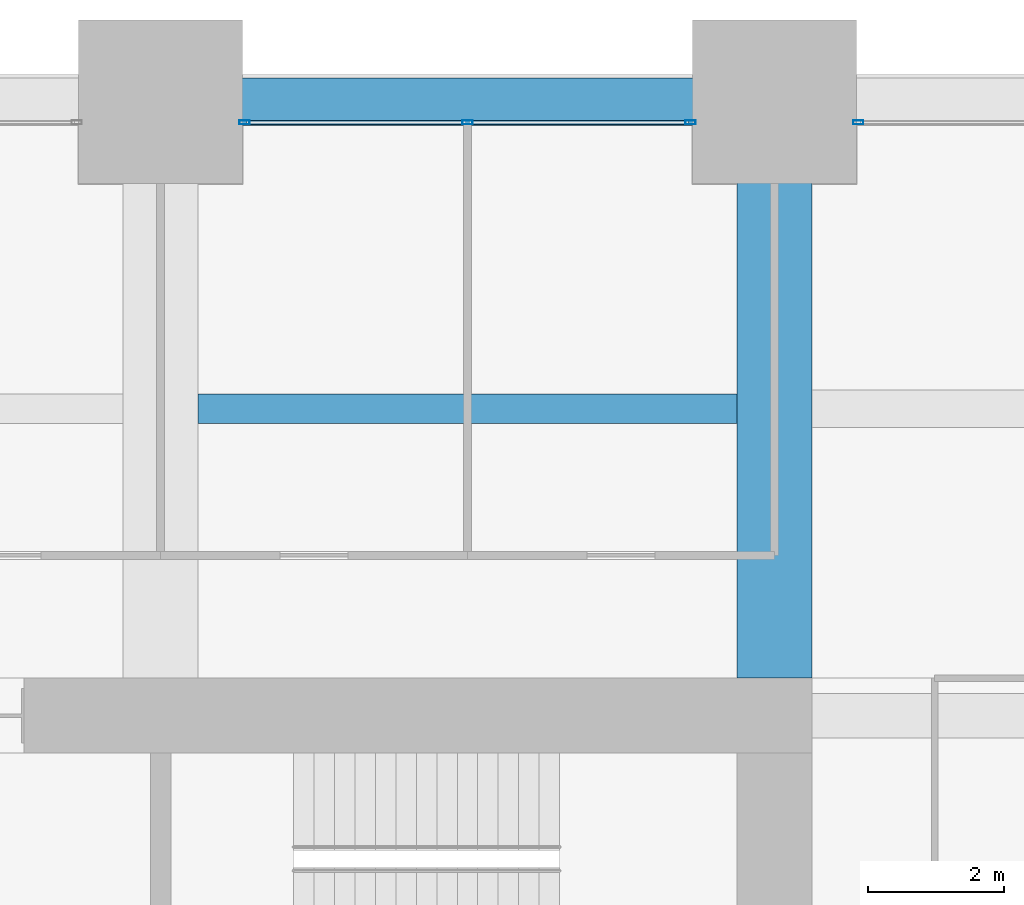
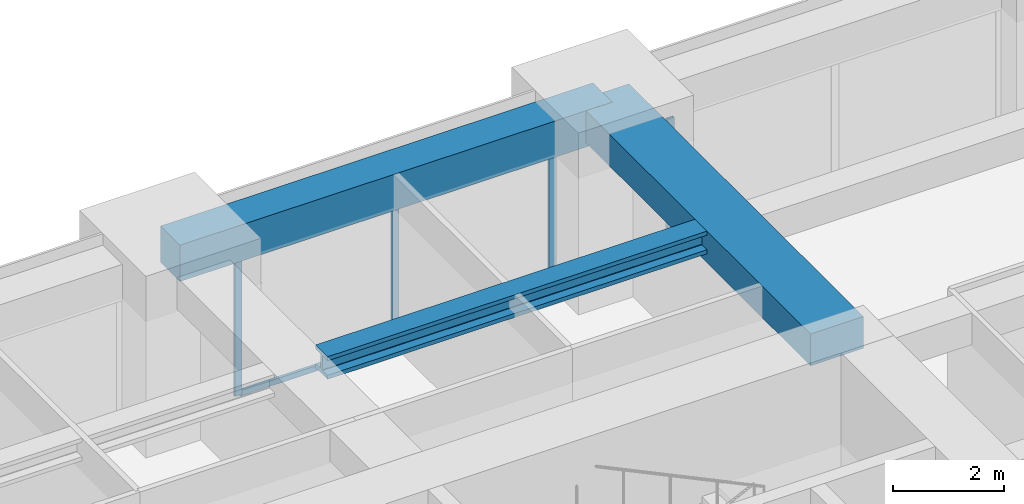
# One storey, part 30 of 41: 5 members, 3 beams, 2 elements without a shape of their own.
"""IFC4 building model written with IfcOpenShell, lengths in metres."""

import ifcopenshell
import ifcopenshell.guid

model = None  # the IFC model being written
_history = None  # IfcOwnerHistory: only IFC2X3 demands one
_inside = {}  # id of a spatial element -> (the spatial element, [elements in it])
_under = {}  # id of a project, library or spatial element -> (it, [spatial elements below it])
_declared = {}  # id of a project -> (the project, [libraries it declares])
_typed = {}  # id of a type object -> (the type object, [elements of that type])
_made_of = {}  # id of a material, layer set ... -> (it, [elements and type objects made of it])


def new_model(schema):
    """Start an empty IFC model of exactly this schema.

    Asked for "IFC4X3", IfcOpenShell would pick the latest addendum, in which some entities
    have other attributes; the version numbers below select the first issue.
    IFC2X3 requires an IfcOwnerHistory on every rooted entity: one is made here for all.
    """
    global model, _history
    if schema == "IFC4X3":
        model = ifcopenshell.file(schema_version=(4, 3, 0, 0))
    else:
        model = ifcopenshell.file(schema=schema)
    _inside.clear()
    _under.clear()
    _declared.clear()
    _typed.clear()
    _made_of.clear()
    _history = None
    if model.schema == "IFC2X3":
        org = make("IfcOrganization", Name="unknown")
        user = make(
            "IfcPersonAndOrganization",
            ThePerson=make("IfcPerson", FamilyName="unknown"),
            TheOrganization=org,
        )
        app = make(
            "IfcApplication",
            ApplicationDeveloper=org,
            Version="unknown",
            ApplicationFullName="unknown",
            ApplicationIdentifier="unknown",
        )
        _history = make(
            "IfcOwnerHistory",
            OwningUser=user,
            OwningApplication=app,
            ChangeAction="ADDED",
            CreationDate=0,
        )
    return model


def make(cls, **values):
    """One entity of the class cls with the attributes given. An attribute that is None is left unset."""
    return model.create_entity(
        cls, **{name: value for name, value in values.items() if value is not None}
    )


def rooted(cls, **values):
    """An entity with a GlobalId (a new one), such as an element, a storey or a relation."""
    return make(cls, GlobalId=ifcopenshell.guid.new(), OwnerHistory=_history, **values)


def si_unit(unit_type, name, prefix=None):
    """IfcSIUnit, for example si_unit("LENGTHUNIT", "METRE", prefix="MILLI")."""
    return make("IfcSIUnit", UnitType=unit_type, Prefix=prefix, Name=name)


def assignment(units):
    """IfcUnitAssignment: the units of a project."""
    return None if units is None else make("IfcUnitAssignment", Units=units)


def point(xyz):
    """IfcCartesianPoint."""
    return None if xyz is None else make("IfcCartesianPoint", Coordinates=xyz)


def direction(xyz):
    """IfcDirection."""
    return None if xyz is None else make("IfcDirection", DirectionRatios=xyz)


def frame(location, z_axis=None, x_axis=None):
    """IfcAxis2Placement3D, a coordinate frame: its origin and axes. An axis left out is left unset."""
    return make(
        "IfcAxis2Placement3D",
        Location=point(location),
        Axis=direction(z_axis),
        RefDirection=direction(x_axis),
    )


def frame_2d(location, x_axis=None):
    """IfcAxis2Placement2D, a coordinate frame in the plane: its origin and x axis."""
    return make(
        "IfcAxis2Placement2D", Location=point(location), RefDirection=direction(x_axis)
    )


def origin():
    """The frame at (0, 0, 0) with its axes left unset."""
    return frame((0.0, 0.0, 0.0))


def origin_2d():
    """The frame at (0, 0) in the plane with its x axis left unset."""
    return frame_2d((0.0, 0.0))


def place(relative_to, where):
    """IfcLocalPlacement: puts the frame where relative to a parent placement (None: the world)."""
    return make(
        "IfcLocalPlacement", PlacementRelTo=relative_to, RelativePlacement=where
    )


def context(
    kind, dimensions, precision=None, world=None, true_north=None, identifier=None
):
    """IfcGeometricRepresentationContext, for example the 3D "Model" context."""
    return make(
        "IfcGeometricRepresentationContext",
        ContextIdentifier=identifier,
        ContextType=kind,
        CoordinateSpaceDimension=dimensions,
        Precision=precision,
        WorldCoordinateSystem=world,
        TrueNorth=true_north,
    )


def subcontext(parent, identifier, kind, view, scale=None):
    """IfcGeometricRepresentationSubContext, for example "Body" below "Model"."""
    return make(
        "IfcGeometricRepresentationSubContext",
        ContextIdentifier=identifier,
        ContextType=kind,
        ParentContext=parent,
        TargetScale=scale,
        TargetView=view,
    )


def project(units=None, contexts=None):
    """IfcProject with its units and contexts."""
    return rooted(
        "IfcProject",
        Name="project",
        RepresentationContexts=contexts,
        UnitsInContext=assignment(units),
    )


def spatial(cls, under=None, at=None, **own):
    """A site, building, storey or space (cls), placed at a placement, below another one or the project."""
    s = rooted(cls, ObjectPlacement=at, **own)
    if under is not None:
        _under.setdefault(under.id(), (under, []))[1].append(s)
    return s


def profile(cls, at=None, kind="AREA", **sizes):
    """A parametric profile (cls). Its sizes go by their IFC names, for example OverallWidth=200.0."""
    return make(cls, ProfileType=kind, Position=at, **sizes)


def rectangle(**sizes):
    """IfcRectangleProfileDef."""
    return profile("IfcRectangleProfileDef", **sizes)


def hollow_rectangle(**sizes):
    """IfcRectangleHollowProfileDef."""
    return profile("IfcRectangleHollowProfileDef", **sizes)


def i_section(**sizes):
    """IfcIShapeProfileDef."""
    return profile("IfcIShapeProfileDef", **sizes)


def extrude(swept, where, along, depth):
    """IfcExtrudedAreaSolid: the profile swept, set in the frame where, extruded along a direction by depth."""
    return make(
        "IfcExtrudedAreaSolid",
        SweptArea=swept,
        Position=where,
        ExtrudedDirection=direction(along),
        Depth=depth,
    )


def shape(context_of_items, identifier, shape_type, items):
    """IfcShapeRepresentation: the items that make up one representation, for example the "Body"."""
    return make(
        "IfcShapeRepresentation",
        ContextOfItems=context_of_items,
        RepresentationIdentifier=identifier,
        RepresentationType=shape_type,
        Items=items,
    )


def material(Name=None, Category=None):
    """IfcMaterial."""
    return make("IfcMaterial", Name=Name, Category=Category)


def material_profile(
    of_material, cross_section, Name=None, Category=None, Priority=None
):
    """IfcMaterialProfile: a cross section and its material."""
    return make(
        "IfcMaterialProfile",
        Name=Name,
        Material=of_material,
        Profile=cross_section,
        Priority=Priority,
        Category=Category,
    )


def profile_set(profiles, Name=None, composite=None):
    """IfcMaterialProfileSet."""
    return make(
        "IfcMaterialProfileSet",
        Name=Name,
        MaterialProfiles=profiles,
        CompositeProfile=composite,
    )


def made_of(thing, what):
    """Note that an element or type object is made of a material, layer set ...; save() writes the relation."""
    if what is not None:
        _made_of.setdefault(what.id(), (what, []))[1].append(thing)
    return thing


def type_object(cls, material=None, **own):
    """A type object (cls), such as IfcWallType, which elements share."""
    return made_of(rooted(cls, **own), material)


def element(
    cls,
    number,
    at=None,
    inside=None,
    cuts=None,
    type_object=None,
    material=None,
    context=None,
    identifier="Body",
    shape_type=None,
    held_by="IfcProductDefinitionShape",
    body=None,
    shapes=None,
    **own,
):
    """One element of the class cls, such as IfcWall. Its Tag is "e" and its number.

    at: its placement. inside: the storey or other place that contains it. cuts: it is an
    opening in that element (IfcRelVoidsElement). A single representation is given by context,
    identifier, shape_type and body (its items); several are given by shapes. held_by: the class
    of the entity that holds the representations. save() writes the other relations.
    """
    e = rooted(cls, Tag="e%d" % number, ObjectPlacement=at, **own)
    if body is not None:
        shapes = [shape(context, identifier, shape_type, body)]
    if shapes is not None:
        e.Representation = make(held_by, Representations=shapes)
    if inside is not None:
        _inside.setdefault(inside.id(), (inside, []))[1].append(e)
    if cuts is not None:
        rooted(
            "IfcRelVoidsElement", RelatingBuildingElement=cuts, RelatedOpeningElement=e
        )
    if type_object is not None:
        _typed.setdefault(type_object.id(), (type_object, []))[1].append(e)
    return made_of(e, material)


def aggregate(whole, parts):
    """IfcRelAggregates: a whole, such as a stair, and the parts it consists of."""
    return rooted("IfcRelAggregates", RelatingObject=whole, RelatedObjects=parts)


def save(model, path):
    """Write the relations noted so far, then the file.

    IfcRelAggregates (storeys below a building ...), IfcRelContainedInSpatialStructure (elements
    in a storey), IfcRelDefinesByType, IfcRelAssociatesMaterial and IfcRelDeclares: one each for
    every whole, place, type object, material and project.
    """
    for whole, parts in _under.values():
        aggregate(whole, parts)
    for where, things in _inside.values():
        rooted(
            "IfcRelContainedInSpatialStructure",
            RelatedElements=things,
            RelatingStructure=where,
        )
    for kind, things in _typed.values():
        rooted("IfcRelDefinesByType", RelatedObjects=things, RelatingType=kind)
    for what, things in _made_of.values():
        rooted("IfcRelAssociatesMaterial", RelatedObjects=things, RelatingMaterial=what)
    for by, libraries in _declared.values():
        rooted("IfcRelDeclares", RelatingContext=by, RelatedDefinitions=libraries)
    model.write(path)


model = new_model("IFC4")

# Units and contexts
model_context = context("Model", 3, precision=1e-05, world=origin(), true_north=direction((0.0, 1.0)))
body_context = subcontext(model_context, "Body", "Model", "MODEL_VIEW")
ifc_project = project(units=[si_unit("LENGTHUNIT", "METRE"), si_unit("AREAUNIT", "SQUARE_METRE"), si_unit("VOLUMEUNIT", "CUBIC_METRE"), si_unit("PLANEANGLEUNIT", "RADIAN"), si_unit("MASSUNIT", "GRAM", prefix="KILO")], contexts=[model_context])

# Site, building, storey
site_placement = place(None, origin())
site = spatial("IfcSite", under=ifc_project, at=site_placement, CompositionType="ELEMENT")
building_placement = place(site_placement, origin())
building = spatial("IfcBuilding", under=site, at=building_placement, Name="Zorevar Civic Tower", CompositionType="ELEMENT")
storey_placement = place(building_placement, frame((0.0, 0.0, 113.0)))
storey = spatial("IfcBuildingStorey", under=building, at=storey_placement, Name="L27", CompositionType="ELEMENT", Elevation=113.0)

# Beam
ifc_material_1 = material(Name="Concrete C50/60", Category="concrete")
ifc_material_profile_1 = material_profile(ifc_material_1, rectangle(XDim=1.10009765625, YDim=0.699951171875, at=origin_2d()), Name="RC 1100x700")
ifc_profile_set_1 = profile_set([ifc_material_profile_1], Name="Concrete C50/60")
beam_type_1 = type_object("IfcBeamType", Name="Beam RC 1100x700", PredefinedType="BEAM", material=ifc_profile_set_1)
beam_1_placement = place(storey_placement, frame((45.0, 36.550048828125, 3.39990234375), z_axis=(0.0, 1.0, 0.0), x_axis=(-1.0, 0.0, 0.0)))
element("IfcBeam", 1, at=beam_1_placement, inside=storey, type_object=beam_type_1, Name="Girder L28", PredefinedType="BEAM", context=body_context, shape_type="SweptSolid", body=[
    extrude(rectangle(XDim=1.10009765625, YDim=0.699951171875, at=origin_2d()), origin(), (0.0, 0.0, 1.0), 8.449951171875),
])

# Curtain wall, members
ifc_material_2 = material(Name="Dark grey solar-control glass in black aluminium frame", Category="aluminium")
curtain_wall_type = type_object("IfcCurtainWallType", Name="Curtain wall CW3 mid zone", PredefinedType="NOTDEFINED", material=ifc_material_2)
curtain_wall_1_placement = place(storey_placement, origin())
curtain_wall_1 = element("IfcCurtainWall", 2, at=curtain_wall_1_placement, inside=storey, type_object=curtain_wall_type, Name="CW3 L27", PredefinedType="NOTDEFINED")
ifc_material_3 = material(Name="Aluminium, black anodised", Category="aluminium")
ifc_material_profile_2 = material_profile(ifc_material_3, hollow_rectangle(XDim=0.06005859375, YDim=0.14990234375, WallThickness=0.00390625, at=origin_2d()), Name="AL 150x60x4")
ifc_profile_set_2 = profile_set([ifc_material_profile_2], Name="Aluminium, black anodised")
member_type_1 = type_object("IfcMemberType", Name="CW3 mullion AL 150x60x4", PredefinedType="MULLION", material=ifc_profile_set_2)
member_1_placement = place(storey_placement, frame((37.22998046875, 44.699951171875, 0.0), z_axis=(0.0, 0.0, 1.0), x_axis=(0.0, 1.0, 0.0)))
member_1 = element("IfcMember", 3, at=member_1_placement, type_object=member_type_1, Name="CW3 mullion 1", PredefinedType="MULLION", context=body_context, shape_type="SweptSolid", body=[
    extrude(hollow_rectangle(XDim=0.06005859375, YDim=0.14990234375, WallThickness=0.00390625, at=origin_2d()), origin(), (0.0, 0.0, 1.0), 2.949951171875),
])
member_2_placement = place(storey_placement, frame((40.5, 44.699951171875, 0.06005859375), z_axis=(0.0, 0.0, 1.0), x_axis=(0.0, 1.0, 0.0)))
member_2 = element("IfcMember", 4, at=member_2_placement, type_object=member_type_1, Name="CW3 mullion 2", PredefinedType="MULLION", context=body_context, shape_type="SweptSolid", body=[
    extrude(hollow_rectangle(XDim=0.06005859375, YDim=0.14990234375, WallThickness=0.00390625, at=origin_2d()), origin(), (0.0, 0.0, 1.0), 2.889892578125),
])
member_3_placement = place(storey_placement, frame((43.77001953125, 44.699951171875, 0.0), z_axis=(0.0, 0.0, 1.0), x_axis=(0.0, 1.0, 0.0)))
member_3 = element("IfcMember", 5, at=member_3_placement, type_object=member_type_1, Name="CW3 mullion 3", PredefinedType="MULLION", context=body_context, shape_type="SweptSolid", body=[
    extrude(hollow_rectangle(XDim=0.06005859375, YDim=0.14990234375, WallThickness=0.00390625, at=origin_2d()), origin(), (0.0, 0.0, 1.0), 2.949951171875),
])

# Curtain wall, member
curtain_wall_2_placement = place(storey_placement, origin())
curtain_wall_2 = element("IfcCurtainWall", 6, at=curtain_wall_2_placement, inside=storey, type_object=curtain_wall_type, Name="CW3 L27", PredefinedType="NOTDEFINED")
member_4_placement = place(storey_placement, frame((46.22998046875, 44.699951171875, 0.0), z_axis=(0.0, 0.0, 1.0), x_axis=(0.0, 1.0, 0.0)))
member_4 = element("IfcMember", 7, at=member_4_placement, type_object=member_type_1, Name="CW3 mullion 1", PredefinedType="MULLION", context=body_context, shape_type="SweptSolid", body=[
    extrude(hollow_rectangle(XDim=0.06005859375, YDim=0.14990234375, WallThickness=0.00390625, at=origin_2d()), origin(), (0.0, 0.0, 1.0), 2.949951171875),
])
aggregate(curtain_wall_2, [member_4])

# Member
ifc_material_4 = material(Name="Aluminium, black anodised", Category="aluminium")
ifc_material_profile_3 = material_profile(ifc_material_4, hollow_rectangle(XDim=0.06005859375, YDim=0.1201171875, WallThickness=0.0029296875, at=origin_2d()), Name="AL 120x60x3")
ifc_profile_set_3 = profile_set([ifc_material_profile_3], Name="Aluminium, black anodised")
member_type_2 = type_object("IfcMemberType", Name="CW3 transom AL 120x60x3", PredefinedType="USERDEFINED", material=ifc_profile_set_3)
member_5_placement = place(storey_placement, frame((37.260009765625, 44.699951171875, 0.030029296875), z_axis=(1.0, 0.0, 0.0), x_axis=(0.0, 1.0, 0.0)))
member_5 = element("IfcMember", 8, at=member_5_placement, type_object=member_type_2, Name="CW3 sill transom", ObjectType="TRANSOM", PredefinedType="USERDEFINED", context=body_context, shape_type="SweptSolid", body=[
    extrude(hollow_rectangle(XDim=0.06005859375, YDim=0.1201171875, WallThickness=0.0029296875, at=origin_2d()), origin(), (0.0, 0.0, 1.0), 6.47998046875),
])

aggregate(curtain_wall_1, [member_1, member_2, member_3, member_5])

# Beams
ifc_material_5 = material(Name="Steel S460M (HISTAR 460)", Category="steel")
ifc_material_profile_4 = material_profile(ifc_material_5, i_section(OverallWidth=0.431884765625, OverallDepth=0.498046875, WebThickness=0.0556640625, FlangeThickness=0.0888671875, FilletRadius=0.014892578125, at=origin_2d()), Name="HD 400x744")
ifc_profile_set_4 = profile_set([ifc_material_profile_4], Name="Steel S460M (HISTAR 460)")
beam_type_2 = type_object("IfcBeamType", Name="Core bay beam HD 400x744", PredefinedType="BEAM", material=ifc_profile_set_4)
beam_2_placement = place(storey_placement, frame((36.550048828125, 40.5, 3.5009765625), z_axis=(1.0, 0.0, 0.0), x_axis=(0.0, 1.0, 0.0)))
element("IfcBeam", 9, at=beam_2_placement, inside=storey, type_object=beam_type_2, Name="Secondary beam L28", PredefinedType="BEAM", context=body_context, shape_type="SweptSolid", body=[
    extrude(i_section(OverallWidth=0.431884765625, OverallDepth=0.498046875, WebThickness=0.0556640625, FlangeThickness=0.0888671875, FilletRadius=0.014892578125, at=origin_2d()), origin(), (0.0, 0.0, 1.0), 7.89990234375),
])
ifc_material_6 = material(Name="Concrete C50/60", Category="concrete")
ifc_material_profile_5 = material_profile(ifc_material_6, rectangle(XDim=0.699951171875, YDim=0.800048828125, at=origin_2d()), Name="RC 700x800")
ifc_profile_set_5 = profile_set([ifc_material_profile_5], Name="Concrete C50/60")
beam_type_3 = type_object("IfcBeamType", Name="Edge beam RC 700x800", PredefinedType="SPANDREL", material=ifc_profile_set_5)
beam_3_placement = place(storey_placement, frame((36.0, 45.0, 3.35009765625), z_axis=(1.0, 0.0, 0.0), x_axis=(0.0, 1.0, 0.0)))
element("IfcBeam", 10, at=beam_3_placement, inside=storey, type_object=beam_type_3, Name="Edge beam L28", PredefinedType="SPANDREL", context=body_context, shape_type="SweptSolid", body=[
    extrude(rectangle(XDim=0.699951171875, YDim=0.800048828125, at=origin_2d()), origin(), (0.0, 0.0, 1.0), 9.0),
])

save(model, "model.ifc")
